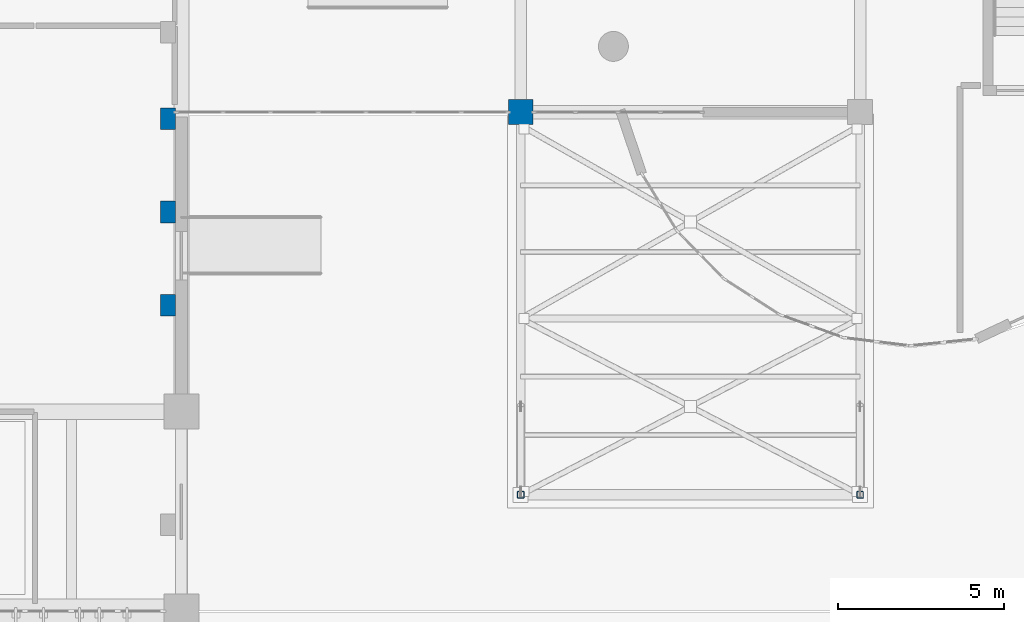
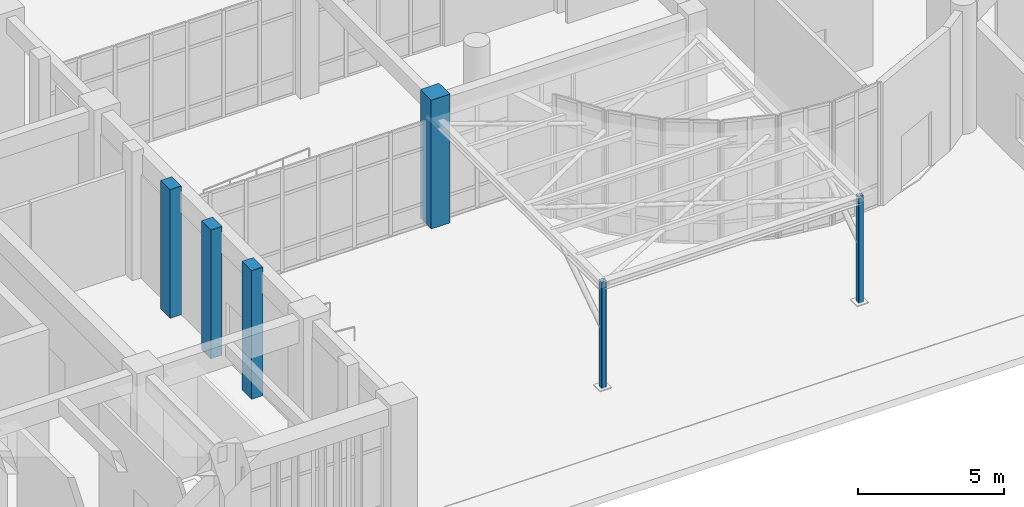
# One storey, part 2 of 70: 6 columns.
"""IFC4 building model written with IfcOpenShell, lengths in metres."""

import ifcopenshell
import ifcopenshell.guid

model = None  # the IFC model being written
_history = None  # IfcOwnerHistory: only IFC2X3 demands one
_inside = {}  # id of a spatial element -> (the spatial element, [elements in it])
_under = {}  # id of a project, library or spatial element -> (it, [spatial elements below it])
_declared = {}  # id of a project -> (the project, [libraries it declares])
_typed = {}  # id of a type object -> (the type object, [elements of that type])
_made_of = {}  # id of a material, layer set ... -> (it, [elements and type objects made of it])


def new_model(schema):
    """Start an empty IFC model of exactly this schema.

    Asked for "IFC4X3", IfcOpenShell would pick the latest addendum, in which some entities
    have other attributes; the version numbers below select the first issue.
    IFC2X3 requires an IfcOwnerHistory on every rooted entity: one is made here for all.
    """
    global model, _history
    if schema == "IFC4X3":
        model = ifcopenshell.file(schema_version=(4, 3, 0, 0))
    else:
        model = ifcopenshell.file(schema=schema)
    _inside.clear()
    _under.clear()
    _declared.clear()
    _typed.clear()
    _made_of.clear()
    _history = None
    if model.schema == "IFC2X3":
        org = make("IfcOrganization", Name="unknown")
        user = make(
            "IfcPersonAndOrganization",
            ThePerson=make("IfcPerson", FamilyName="unknown"),
            TheOrganization=org,
        )
        app = make(
            "IfcApplication",
            ApplicationDeveloper=org,
            Version="unknown",
            ApplicationFullName="unknown",
            ApplicationIdentifier="unknown",
        )
        _history = make(
            "IfcOwnerHistory",
            OwningUser=user,
            OwningApplication=app,
            ChangeAction="ADDED",
            CreationDate=0,
        )
    return model


def make(cls, **values):
    """One entity of the class cls with the attributes given. An attribute that is None is left unset."""
    return model.create_entity(
        cls, **{name: value for name, value in values.items() if value is not None}
    )


def rooted(cls, **values):
    """An entity with a GlobalId (a new one), such as an element, a storey or a relation."""
    return make(cls, GlobalId=ifcopenshell.guid.new(), OwnerHistory=_history, **values)


def si_unit(unit_type, name, prefix=None):
    """IfcSIUnit, for example si_unit("LENGTHUNIT", "METRE", prefix="MILLI")."""
    return make("IfcSIUnit", UnitType=unit_type, Prefix=prefix, Name=name)


def assignment(units):
    """IfcUnitAssignment: the units of a project."""
    return None if units is None else make("IfcUnitAssignment", Units=units)


def point(xyz):
    """IfcCartesianPoint."""
    return None if xyz is None else make("IfcCartesianPoint", Coordinates=xyz)


def direction(xyz):
    """IfcDirection."""
    return None if xyz is None else make("IfcDirection", DirectionRatios=xyz)


def frame(location, z_axis=None, x_axis=None):
    """IfcAxis2Placement3D, a coordinate frame: its origin and axes. An axis left out is left unset."""
    return make(
        "IfcAxis2Placement3D",
        Location=point(location),
        Axis=direction(z_axis),
        RefDirection=direction(x_axis),
    )


def frame_2d(location, x_axis=None):
    """IfcAxis2Placement2D, a coordinate frame in the plane: its origin and x axis."""
    return make(
        "IfcAxis2Placement2D", Location=point(location), RefDirection=direction(x_axis)
    )


def origin():
    """The frame at (0, 0, 0) with its axes left unset."""
    return frame((0.0, 0.0, 0.0))


def origin_2d():
    """The frame at (0, 0) in the plane with its x axis left unset."""
    return frame_2d((0.0, 0.0))


def place(relative_to, where):
    """IfcLocalPlacement: puts the frame where relative to a parent placement (None: the world)."""
    return make(
        "IfcLocalPlacement", PlacementRelTo=relative_to, RelativePlacement=where
    )


def context(
    kind, dimensions, precision=None, world=None, true_north=None, identifier=None
):
    """IfcGeometricRepresentationContext, for example the 3D "Model" context."""
    return make(
        "IfcGeometricRepresentationContext",
        ContextIdentifier=identifier,
        ContextType=kind,
        CoordinateSpaceDimension=dimensions,
        Precision=precision,
        WorldCoordinateSystem=world,
        TrueNorth=true_north,
    )


def subcontext(parent, identifier, kind, view, scale=None):
    """IfcGeometricRepresentationSubContext, for example "Body" below "Model"."""
    return make(
        "IfcGeometricRepresentationSubContext",
        ContextIdentifier=identifier,
        ContextType=kind,
        ParentContext=parent,
        TargetScale=scale,
        TargetView=view,
    )


def project(units=None, contexts=None):
    """IfcProject with its units and contexts."""
    return rooted(
        "IfcProject",
        Name="project",
        RepresentationContexts=contexts,
        UnitsInContext=assignment(units),
    )


def spatial(cls, under=None, at=None, **own):
    """A site, building, storey or space (cls), placed at a placement, below another one or the project."""
    s = rooted(cls, ObjectPlacement=at, **own)
    if under is not None:
        _under.setdefault(under.id(), (under, []))[1].append(s)
    return s


def profile(cls, at=None, kind="AREA", **sizes):
    """A parametric profile (cls). Its sizes go by their IFC names, for example OverallWidth=200.0."""
    return make(cls, ProfileType=kind, Position=at, **sizes)


def rectangle(**sizes):
    """IfcRectangleProfileDef."""
    return profile("IfcRectangleProfileDef", **sizes)


def hollow_rectangle(**sizes):
    """IfcRectangleHollowProfileDef."""
    return profile("IfcRectangleHollowProfileDef", **sizes)


def extrude(swept, where, along, depth):
    """IfcExtrudedAreaSolid: the profile swept, set in the frame where, extruded along a direction by depth."""
    return make(
        "IfcExtrudedAreaSolid",
        SweptArea=swept,
        Position=where,
        ExtrudedDirection=direction(along),
        Depth=depth,
    )


def shape(context_of_items, identifier, shape_type, items):
    """IfcShapeRepresentation: the items that make up one representation, for example the "Body"."""
    return make(
        "IfcShapeRepresentation",
        ContextOfItems=context_of_items,
        RepresentationIdentifier=identifier,
        RepresentationType=shape_type,
        Items=items,
    )


def material(Name=None, Category=None):
    """IfcMaterial."""
    return make("IfcMaterial", Name=Name, Category=Category)


def material_profile(
    of_material, cross_section, Name=None, Category=None, Priority=None
):
    """IfcMaterialProfile: a cross section and its material."""
    return make(
        "IfcMaterialProfile",
        Name=Name,
        Material=of_material,
        Profile=cross_section,
        Priority=Priority,
        Category=Category,
    )


def profile_set(profiles, Name=None, composite=None):
    """IfcMaterialProfileSet."""
    return make(
        "IfcMaterialProfileSet",
        Name=Name,
        MaterialProfiles=profiles,
        CompositeProfile=composite,
    )


def made_of(thing, what):
    """Note that an element or type object is made of a material, layer set ...; save() writes the relation."""
    if what is not None:
        _made_of.setdefault(what.id(), (what, []))[1].append(thing)
    return thing


def type_object(cls, material=None, **own):
    """A type object (cls), such as IfcWallType, which elements share."""
    return made_of(rooted(cls, **own), material)


def element(
    cls,
    number,
    at=None,
    inside=None,
    cuts=None,
    type_object=None,
    material=None,
    context=None,
    identifier="Body",
    shape_type=None,
    held_by="IfcProductDefinitionShape",
    body=None,
    shapes=None,
    **own,
):
    """One element of the class cls, such as IfcWall. Its Tag is "e" and its number.

    at: its placement. inside: the storey or other place that contains it. cuts: it is an
    opening in that element (IfcRelVoidsElement). A single representation is given by context,
    identifier, shape_type and body (its items); several are given by shapes. held_by: the class
    of the entity that holds the representations. save() writes the other relations.
    """
    e = rooted(cls, Tag="e%d" % number, ObjectPlacement=at, **own)
    if body is not None:
        shapes = [shape(context, identifier, shape_type, body)]
    if shapes is not None:
        e.Representation = make(held_by, Representations=shapes)
    if inside is not None:
        _inside.setdefault(inside.id(), (inside, []))[1].append(e)
    if cuts is not None:
        rooted(
            "IfcRelVoidsElement", RelatingBuildingElement=cuts, RelatedOpeningElement=e
        )
    if type_object is not None:
        _typed.setdefault(type_object.id(), (type_object, []))[1].append(e)
    return made_of(e, material)


def aggregate(whole, parts):
    """IfcRelAggregates: a whole, such as a stair, and the parts it consists of."""
    return rooted("IfcRelAggregates", RelatingObject=whole, RelatedObjects=parts)


def save(model, path):
    """Write the relations noted so far, then the file.

    IfcRelAggregates (storeys below a building ...), IfcRelContainedInSpatialStructure (elements
    in a storey), IfcRelDefinesByType, IfcRelAssociatesMaterial and IfcRelDeclares: one each for
    every whole, place, type object, material and project.
    """
    for whole, parts in _under.values():
        aggregate(whole, parts)
    for where, things in _inside.values():
        rooted(
            "IfcRelContainedInSpatialStructure",
            RelatedElements=things,
            RelatingStructure=where,
        )
    for kind, things in _typed.values():
        rooted("IfcRelDefinesByType", RelatedObjects=things, RelatingType=kind)
    for what, things in _made_of.values():
        rooted("IfcRelAssociatesMaterial", RelatedObjects=things, RelatingMaterial=what)
    for by, libraries in _declared.values():
        rooted("IfcRelDeclares", RelatingContext=by, RelatedDefinitions=libraries)
    model.write(path)


model = new_model("IFC4")

# Units and contexts
model_context = context("Model", 3, precision=1e-05, world=origin(), true_north=direction((0.0, 1.0)))
body_context = subcontext(model_context, "Body", "Model", "MODEL_VIEW")
ifc_project = project(units=[si_unit("LENGTHUNIT", "METRE"), si_unit("AREAUNIT", "SQUARE_METRE"), si_unit("VOLUMEUNIT", "CUBIC_METRE"), si_unit("PLANEANGLEUNIT", "RADIAN"), si_unit("MASSUNIT", "GRAM", prefix="KILO")], contexts=[model_context])

# Site, building, storey
site_placement = place(None, origin())
site = spatial("IfcSite", under=ifc_project, at=site_placement, CompositionType="ELEMENT")
building_placement = place(site_placement, origin())
building = spatial("IfcBuilding", under=site, at=building_placement, Name="Miralva Faculty of Natural Sciences", CompositionType="ELEMENT")
storey_placement = place(building_placement, origin())
storey = spatial("IfcBuildingStorey", under=building, at=storey_placement, Name="L00", CompositionType="ELEMENT", Elevation=0.0)

# Columns
ifc_material_1 = material(Name="Concrete C40/50", Category="concrete")
ifc_material_profile_1 = material_profile(ifc_material_1, rectangle(XDim=0.75, YDim=0.75, at=origin_2d()), Name="RC 750x750")
ifc_profile_set_1 = profile_set([ifc_material_profile_1], Name="Concrete C40/50")
column_type_1 = type_object("IfcColumnType", Name="COL-C06", PredefinedType="COLUMN", material=ifc_profile_set_1)
column_placement = place(storey_placement, frame((46.199951171875, 18.0, 0.0), z_axis=(0.0, 0.0, 1.0), x_axis=(1.0, 0.0, 0.0)))
element("IfcColumn", 1, at=column_placement, inside=storey, type_object=column_type_1, Name="Column CS-LNK-WL1S L00", PredefinedType="COLUMN", context=body_context, shape_type="SweptSolid", body=[
    extrude(rectangle(XDim=0.75, YDim=0.75, at=origin_2d()), origin(), (0.0, 0.0, 1.0), 5.39990234375),
])
ifc_material_profile_2 = material_profile(ifc_material_1, rectangle(XDim=0.449951171875, YDim=0.64990234375, at=origin_2d()), Name="RC 450x650")
ifc_profile_set_2 = profile_set([ifc_material_profile_2], Name="Concrete C40/50")
column_type_2 = type_object("IfcColumnType", Name="COL-C12", PredefinedType="PILASTER", material=ifc_profile_set_2)
for number, where, z_axis, x_axis, name in (
    (2, (35.60009765625, 12.199951171875, 0.0), (0.0, 0.0, 1.0), (1.0, 0.0, 0.0), "Colonnade pilaster 2 L00"),
    (3, (35.60009765625, 15.0, 0.0), (0.0, 0.0, 1.0), (1.0, 0.0, 0.0), "Colonnade pilaster 3 L00"),
    (4, (35.60009765625, 17.800048828125, 0.0), (0.0, 0.0, 1.0), (1.0, 0.0, 0.0), "Colonnade pilaster 4 L00"),
):
    element("IfcColumn", number, at=place(storey_placement, frame(where, z_axis=z_axis, x_axis=x_axis)), inside=storey, type_object=column_type_2, Name=name, PredefinedType="PILASTER", context=body_context, shape_type="SweptSolid", body=[
        extrude(rectangle(XDim=0.449951171875, YDim=0.64990234375, at=origin_2d()), origin(), (0.0, 0.0, 1.0), 5.39990234375),
    ])
ifc_material_2 = material(Name="Steel S355", Category="steel")
ifc_material_profile_3 = material_profile(ifc_material_2, hollow_rectangle(XDim=0.199951171875, YDim=0.199951171875, WallThickness=0.010009765625, InnerFilletRadius=0.010009765625, OuterFilletRadius=0.02001953125, at=origin_2d()), Name="HSS 200x200x10")
ifc_profile_set_3 = profile_set([ifc_material_profile_3], Name="Steel S355")
column_type_3 = type_object("IfcColumnType", Name="COL-C16", PredefinedType="COLUMN", material=ifc_profile_set_3)
for number, where, z_axis, x_axis, name in (
    (5, (46.199951171875, 6.5, 0.0), (0.0, 0.0, 1.0), (1.0, 0.0, 0.0), "Forecourt canopy steel column 1"),
    (6, (56.39990234375, 6.5, 0.0), (0.0, 0.0, 1.0), (1.0, 0.0, 0.0), "Forecourt canopy steel column 2"),
):
    element("IfcColumn", number, at=place(storey_placement, frame(where, z_axis=z_axis, x_axis=x_axis)), inside=storey, type_object=column_type_3, Name=name, PredefinedType="COLUMN", context=body_context, shape_type="SweptSolid", body=[
        extrude(hollow_rectangle(XDim=0.199951171875, YDim=0.199951171875, WallThickness=0.010009765625, InnerFilletRadius=0.010009765625, OuterFilletRadius=0.02001953125, at=origin_2d()), origin(), (0.0, 0.0, 1.0), 4.47509765625),
    ])

save(model, "model.ifc")
